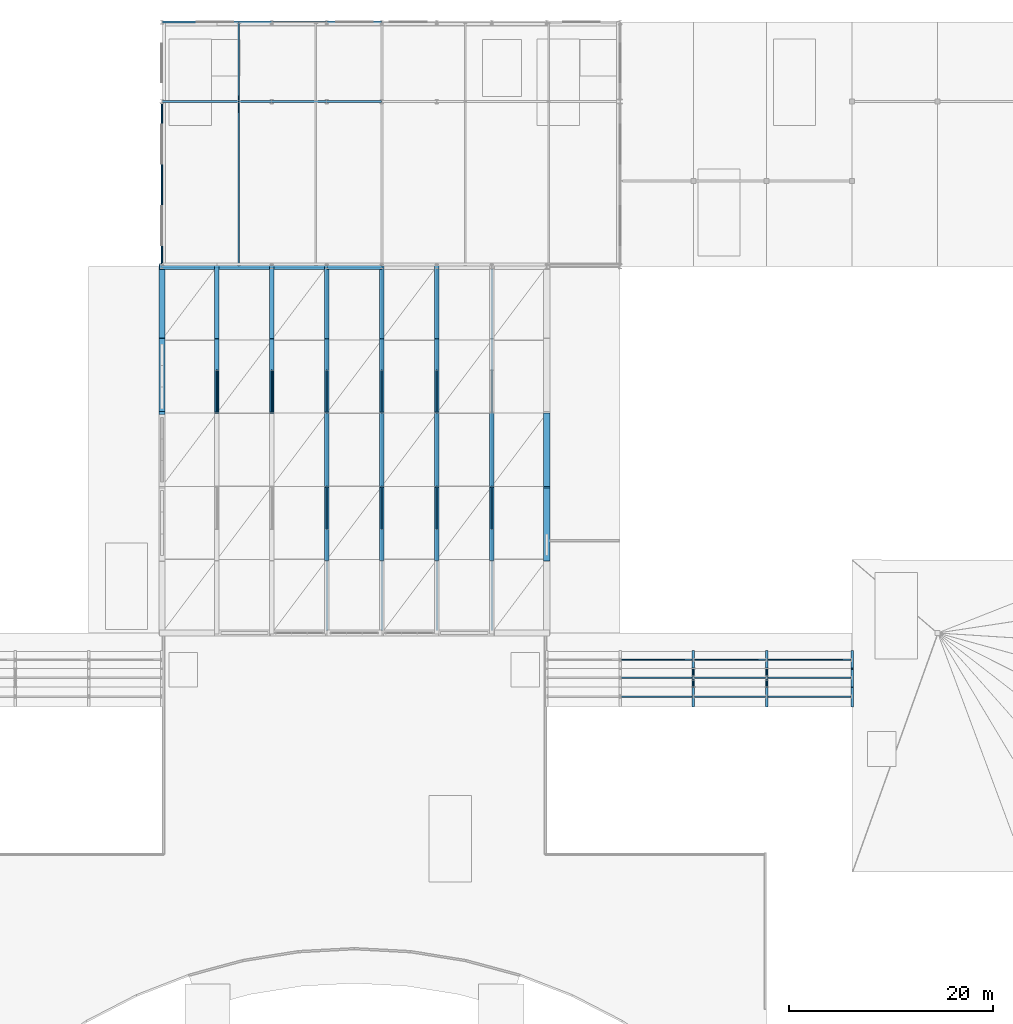
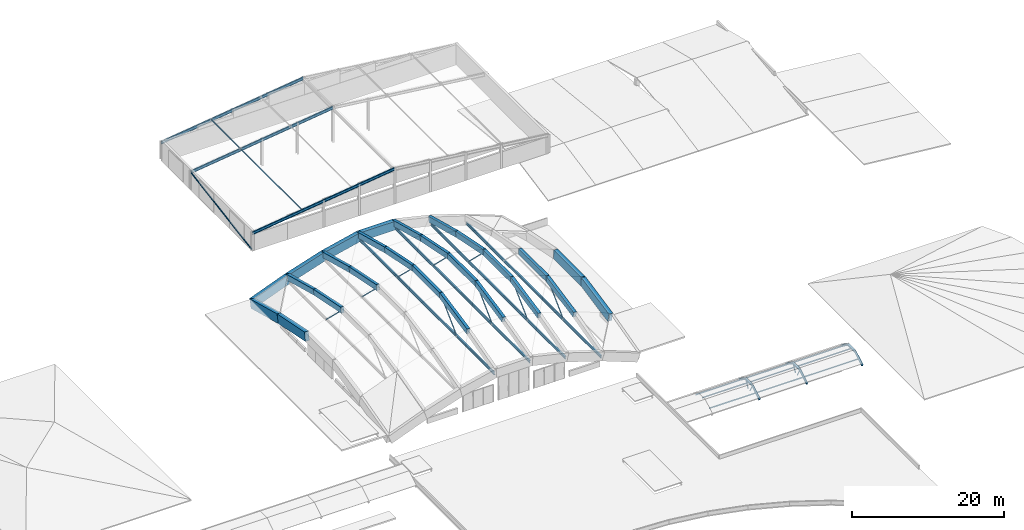
# One storey, part 7 of 27: 42 beams, 25 members.
"""IFC4 building model written with IfcOpenShell, lengths in metres."""

import ifcopenshell
import ifcopenshell.guid

model = None  # the IFC model being written
_history = None  # IfcOwnerHistory: only IFC2X3 demands one
_inside = {}  # id of a spatial element -> (the spatial element, [elements in it])
_under = {}  # id of a project, library or spatial element -> (it, [spatial elements below it])
_declared = {}  # id of a project -> (the project, [libraries it declares])
_typed = {}  # id of a type object -> (the type object, [elements of that type])
_made_of = {}  # id of a material, layer set ... -> (it, [elements and type objects made of it])


def new_model(schema):
    """Start an empty IFC model of exactly this schema.

    Asked for "IFC4X3", IfcOpenShell would pick the latest addendum, in which some entities
    have other attributes; the version numbers below select the first issue.
    IFC2X3 requires an IfcOwnerHistory on every rooted entity: one is made here for all.
    """
    global model, _history
    if schema == "IFC4X3":
        model = ifcopenshell.file(schema_version=(4, 3, 0, 0))
    else:
        model = ifcopenshell.file(schema=schema)
    _inside.clear()
    _under.clear()
    _declared.clear()
    _typed.clear()
    _made_of.clear()
    _history = None
    if model.schema == "IFC2X3":
        org = make("IfcOrganization", Name="unknown")
        user = make(
            "IfcPersonAndOrganization",
            ThePerson=make("IfcPerson", FamilyName="unknown"),
            TheOrganization=org,
        )
        app = make(
            "IfcApplication",
            ApplicationDeveloper=org,
            Version="unknown",
            ApplicationFullName="unknown",
            ApplicationIdentifier="unknown",
        )
        _history = make(
            "IfcOwnerHistory",
            OwningUser=user,
            OwningApplication=app,
            ChangeAction="ADDED",
            CreationDate=0,
        )
    return model


def make(cls, **values):
    """One entity of the class cls with the attributes given. An attribute that is None is left unset."""
    return model.create_entity(
        cls, **{name: value for name, value in values.items() if value is not None}
    )


def rooted(cls, **values):
    """An entity with a GlobalId (a new one), such as an element, a storey or a relation."""
    return make(cls, GlobalId=ifcopenshell.guid.new(), OwnerHistory=_history, **values)


def si_unit(unit_type, name, prefix=None):
    """IfcSIUnit, for example si_unit("LENGTHUNIT", "METRE", prefix="MILLI")."""
    return make("IfcSIUnit", UnitType=unit_type, Prefix=prefix, Name=name)


def assignment(units):
    """IfcUnitAssignment: the units of a project."""
    return None if units is None else make("IfcUnitAssignment", Units=units)


def point(xyz):
    """IfcCartesianPoint."""
    return None if xyz is None else make("IfcCartesianPoint", Coordinates=xyz)


def direction(xyz):
    """IfcDirection."""
    return None if xyz is None else make("IfcDirection", DirectionRatios=xyz)


def frame(location, z_axis=None, x_axis=None):
    """IfcAxis2Placement3D, a coordinate frame: its origin and axes. An axis left out is left unset."""
    return make(
        "IfcAxis2Placement3D",
        Location=point(location),
        Axis=direction(z_axis),
        RefDirection=direction(x_axis),
    )


def frame_2d(location, x_axis=None):
    """IfcAxis2Placement2D, a coordinate frame in the plane: its origin and x axis."""
    return make(
        "IfcAxis2Placement2D", Location=point(location), RefDirection=direction(x_axis)
    )


def origin():
    """The frame at (0, 0, 0) with its axes left unset."""
    return frame((0.0, 0.0, 0.0))


def origin_2d():
    """The frame at (0, 0) in the plane with its x axis left unset."""
    return frame_2d((0.0, 0.0))


def place(relative_to, where):
    """IfcLocalPlacement: puts the frame where relative to a parent placement (None: the world)."""
    return make(
        "IfcLocalPlacement", PlacementRelTo=relative_to, RelativePlacement=where
    )


def context(
    kind, dimensions, precision=None, world=None, true_north=None, identifier=None
):
    """IfcGeometricRepresentationContext, for example the 3D "Model" context."""
    return make(
        "IfcGeometricRepresentationContext",
        ContextIdentifier=identifier,
        ContextType=kind,
        CoordinateSpaceDimension=dimensions,
        Precision=precision,
        WorldCoordinateSystem=world,
        TrueNorth=true_north,
    )


def subcontext(parent, identifier, kind, view, scale=None):
    """IfcGeometricRepresentationSubContext, for example "Body" below "Model"."""
    return make(
        "IfcGeometricRepresentationSubContext",
        ContextIdentifier=identifier,
        ContextType=kind,
        ParentContext=parent,
        TargetScale=scale,
        TargetView=view,
    )


def project(units=None, contexts=None):
    """IfcProject with its units and contexts."""
    return rooted(
        "IfcProject",
        Name="project",
        RepresentationContexts=contexts,
        UnitsInContext=assignment(units),
    )


def spatial(cls, under=None, at=None, **own):
    """A site, building, storey or space (cls), placed at a placement, below another one or the project."""
    s = rooted(cls, ObjectPlacement=at, **own)
    if under is not None:
        _under.setdefault(under.id(), (under, []))[1].append(s)
    return s


def profile(cls, at=None, kind="AREA", **sizes):
    """A parametric profile (cls). Its sizes go by their IFC names, for example OverallWidth=200.0."""
    return make(cls, ProfileType=kind, Position=at, **sizes)


def rectangle(**sizes):
    """IfcRectangleProfileDef."""
    return profile("IfcRectangleProfileDef", **sizes)


def hollow_rectangle(**sizes):
    """IfcRectangleHollowProfileDef."""
    return profile("IfcRectangleHollowProfileDef", **sizes)


def hollow_circle(**sizes):
    """IfcCircleHollowProfileDef."""
    return profile("IfcCircleHollowProfileDef", **sizes)


def i_section(**sizes):
    """IfcIShapeProfileDef."""
    return profile("IfcIShapeProfileDef", **sizes)


def extrude(swept, where, along, depth):
    """IfcExtrudedAreaSolid: the profile swept, set in the frame where, extruded along a direction by depth."""
    return make(
        "IfcExtrudedAreaSolid",
        SweptArea=swept,
        Position=where,
        ExtrudedDirection=direction(along),
        Depth=depth,
    )


def shape(context_of_items, identifier, shape_type, items):
    """IfcShapeRepresentation: the items that make up one representation, for example the "Body"."""
    return make(
        "IfcShapeRepresentation",
        ContextOfItems=context_of_items,
        RepresentationIdentifier=identifier,
        RepresentationType=shape_type,
        Items=items,
    )


def material(Name=None, Category=None):
    """IfcMaterial."""
    return make("IfcMaterial", Name=Name, Category=Category)


def material_profile(
    of_material, cross_section, Name=None, Category=None, Priority=None
):
    """IfcMaterialProfile: a cross section and its material."""
    return make(
        "IfcMaterialProfile",
        Name=Name,
        Material=of_material,
        Profile=cross_section,
        Priority=Priority,
        Category=Category,
    )


def profile_set(profiles, Name=None, composite=None):
    """IfcMaterialProfileSet."""
    return make(
        "IfcMaterialProfileSet",
        Name=Name,
        MaterialProfiles=profiles,
        CompositeProfile=composite,
    )


def made_of(thing, what):
    """Note that an element or type object is made of a material, layer set ...; save() writes the relation."""
    if what is not None:
        _made_of.setdefault(what.id(), (what, []))[1].append(thing)
    return thing


def type_object(cls, material=None, **own):
    """A type object (cls), such as IfcWallType, which elements share."""
    return made_of(rooted(cls, **own), material)


def element(
    cls,
    number,
    at=None,
    inside=None,
    cuts=None,
    type_object=None,
    material=None,
    context=None,
    identifier="Body",
    shape_type=None,
    held_by="IfcProductDefinitionShape",
    body=None,
    shapes=None,
    **own,
):
    """One element of the class cls, such as IfcWall. Its Tag is "e" and its number.

    at: its placement. inside: the storey or other place that contains it. cuts: it is an
    opening in that element (IfcRelVoidsElement). A single representation is given by context,
    identifier, shape_type and body (its items); several are given by shapes. held_by: the class
    of the entity that holds the representations. save() writes the other relations.
    """
    e = rooted(cls, Tag="e%d" % number, ObjectPlacement=at, **own)
    if body is not None:
        shapes = [shape(context, identifier, shape_type, body)]
    if shapes is not None:
        e.Representation = make(held_by, Representations=shapes)
    if inside is not None:
        _inside.setdefault(inside.id(), (inside, []))[1].append(e)
    if cuts is not None:
        rooted(
            "IfcRelVoidsElement", RelatingBuildingElement=cuts, RelatedOpeningElement=e
        )
    if type_object is not None:
        _typed.setdefault(type_object.id(), (type_object, []))[1].append(e)
    return made_of(e, material)


def aggregate(whole, parts):
    """IfcRelAggregates: a whole, such as a stair, and the parts it consists of."""
    return rooted("IfcRelAggregates", RelatingObject=whole, RelatedObjects=parts)


def save(model, path):
    """Write the relations noted so far, then the file.

    IfcRelAggregates (storeys below a building ...), IfcRelContainedInSpatialStructure (elements
    in a storey), IfcRelDefinesByType, IfcRelAssociatesMaterial and IfcRelDeclares: one each for
    every whole, place, type object, material and project.
    """
    for whole, parts in _under.values():
        aggregate(whole, parts)
    for where, things in _inside.values():
        rooted(
            "IfcRelContainedInSpatialStructure",
            RelatedElements=things,
            RelatingStructure=where,
        )
    for kind, things in _typed.values():
        rooted("IfcRelDefinesByType", RelatedObjects=things, RelatingType=kind)
    for what, things in _made_of.values():
        rooted("IfcRelAssociatesMaterial", RelatedObjects=things, RelatingMaterial=what)
    for by, libraries in _declared.values():
        rooted("IfcRelDeclares", RelatingContext=by, RelatedDefinitions=libraries)
    model.write(path)


model = new_model("IFC4")

# Units and contexts
model_context = context("Model", 3, precision=1e-05, world=origin(), true_north=direction((0.0, 1.0)))
body_context = subcontext(model_context, "Body", "Model", "MODEL_VIEW")
ifc_project = project(units=[si_unit("LENGTHUNIT", "METRE"), si_unit("AREAUNIT", "SQUARE_METRE"), si_unit("VOLUMEUNIT", "CUBIC_METRE"), si_unit("PLANEANGLEUNIT", "RADIAN"), si_unit("MASSUNIT", "GRAM", prefix="KILO")], contexts=[model_context])

# Site, building, storey
site_placement = place(None, origin())
site = spatial("IfcSite", under=ifc_project, at=site_placement, CompositionType="ELEMENT")
building_placement = place(site_placement, origin())
building = spatial("IfcBuilding", under=site, at=building_placement, Name="Tazoul Stagehouse", CompositionType="ELEMENT")
storey_placement = place(building_placement, frame((0.0, 0.0, 24.89990234375)))
storey = spatial("IfcBuildingStorey", under=building, at=storey_placement, Name="RF", CompositionType="ELEMENT", Elevation=24.89990234375)

# Members
ifc_material_1 = material(Name="Steel S355", Category="steel")
ifc_material_profile_1 = material_profile(ifc_material_1, hollow_rectangle(XDim=0.10009765625, YDim=0.199951171875, WallThickness=0.008056640625, InnerFilletRadius=0.008056640625, OuterFilletRadius=0.011962890625, at=origin_2d()), Name="RHS 200x100x8")
ifc_profile_set_1 = profile_set([ifc_material_profile_1], Name="Steel S355")
member_type_1 = type_object("IfcMemberType", Name="Fly-Tower Roof Purlin RHS 200x100x8", PredefinedType="PURLIN", material=ifc_profile_set_1)
member_1_placement = place(storey_placement, frame((65.159912109375, 87.8798828125, 3.81005859375), z_axis=(0.0, 1.0, 0.0), x_axis=(-1.0, 0.0, 0.0)))
element("IfcMember", 1, at=member_1_placement, inside=storey, type_object=member_type_1, Name="RF Roof Purlin PR-03 (PURL-V2-W1-1)", PredefinedType="PURLIN", context=body_context, shape_type="SweptSolid", body=[
    extrude(hollow_rectangle(XDim=0.10009765625, YDim=0.199951171875, WallThickness=0.008056640625, InnerFilletRadius=0.008056640625, OuterFilletRadius=0.011962890625, at=origin_2d()), origin(), (0.0, 0.0, 1.0), 16.0400390625),
])
member_2_placement = place(storey_placement, frame((65.159912109375, 104.080078125, 3.81005859375), z_axis=(0.0, 1.0, 0.0), x_axis=(-1.0, 0.0, 0.0)))
element("IfcMember", 2, at=member_2_placement, inside=storey, type_object=member_type_1, Name="RF Roof Purlin PR-03 (PURL-V2-W2-1)", PredefinedType="PURLIN", context=body_context, shape_type="SweptSolid", body=[
    extrude(hollow_rectangle(XDim=0.10009765625, YDim=0.199951171875, WallThickness=0.008056640625, InnerFilletRadius=0.008056640625, OuterFilletRadius=0.011962890625, at=origin_2d()), origin(), (0.0, 0.0, 1.0), 7.639892578125),
])
ifc_material_profile_2 = material_profile(ifc_material_1, hollow_circle(Radius=0.109619140625, WallThickness=0.010009765625, at=origin_2d()), Name="CHS 219.1x10")
ifc_profile_set_2 = profile_set([ifc_material_profile_2], Name="Steel S355")
member_type_2 = type_object("IfcMemberType", Name="Fly-Tower Upper Brace CHS 219.1x10 (Exterior)", PredefinedType="BRACE", material=ifc_profile_set_2)
member_3_placement = place(storey_placement, frame((57.60009765625, 87.919921875, 0.050048828125), z_axis=(0.0, 0.986492445719, 0.163806759749), x_axis=(-1.0, 0.0, 0.0)))
element("IfcMember", 3, at=member_3_placement, inside=storey, type_object=member_type_2, Name="RF Concentric Brace BR-02E (BR-FT-RF-W1)", PredefinedType="BRACE", context=body_context, shape_type="SweptSolid", body=[
    extrude(hollow_circle(Radius=0.109619140625, WallThickness=0.010009765625, at=origin_2d()), origin(), (0.0, 0.0, 1.0), 16.178466796875),
])

# Beams
ifc_material_2 = material(Name="Concrete C40/50", Category="concrete")
ifc_material_profile_3 = material_profile(ifc_material_2, rectangle(XDim=0.449951171875, YDim=0.89990234375, at=origin_2d()), Name="RC 450x900")
ifc_profile_set_3 = profile_set([ifc_material_profile_3], Name="Concrete C40/50")
beam_type_1 = type_object("IfcBeamType", Name="RC Shell Arch Rib 450x900", PredefinedType="BEAM", material=ifc_profile_set_3)
beam_1_placement = place(storey_placement, frame((63.0, 73.39990234375, -2.767578125), z_axis=(0.0, 0.979913117397, -0.199424878971), x_axis=(-1.0, 0.0, 0.0)))
element("IfcBeam", 4, at=beam_1_placement, inside=storey, type_object=beam_type_1, Name="Shell Arch Rib AR-01 R2.4", PredefinedType="BEAM", context=body_context, shape_type="SweptSolid", body=[
    extrude(rectangle(XDim=0.449951171875, YDim=0.89990234375, at=origin_2d()), origin(), (0.0, 0.0, 1.0), 7.347900390625),
])
beam_2_placement = place(storey_placement, frame((63.0, 80.60009765625, -4.23291015625), z_axis=(0.0, 0.966171834407, -0.257899178748), x_axis=(-1.0, 0.0, 0.0)))
element("IfcBeam", 5, at=beam_2_placement, inside=storey, type_object=beam_type_1, Name="Shell Arch Rib AR-01 R2.5", PredefinedType="BEAM", context=body_context, shape_type="SweptSolid", body=[
    extrude(rectangle(XDim=0.449951171875, YDim=0.89990234375, at=origin_2d()), origin(), (0.0, 0.0, 1.0), 7.4521484375),
])
beam_3_placement = place(storey_placement, frame((68.39990234375, 73.39990234375, -1.032958984375), z_axis=(0.0, 0.979913117397, -0.199424878971), x_axis=(-1.0, 0.0, 0.0)))
element("IfcBeam", 6, at=beam_3_placement, inside=storey, type_object=beam_type_1, Name="Shell Arch Rib AR-01 R3.4", PredefinedType="BEAM", context=body_context, shape_type="SweptSolid", body=[
    extrude(rectangle(XDim=0.449951171875, YDim=0.89990234375, at=origin_2d()), origin(), (0.0, 0.0, 1.0), 7.347900390625),
])
beam_4_placement = place(storey_placement, frame((68.39990234375, 80.60009765625, -2.498291015625), z_axis=(0.0, 0.966171834407, -0.257899178748), x_axis=(-1.0, 0.0, 0.0)))
element("IfcBeam", 7, at=beam_4_placement, inside=storey, type_object=beam_type_1, Name="Shell Arch Rib AR-01 R3.5", PredefinedType="BEAM", context=body_context, shape_type="SweptSolid", body=[
    extrude(rectangle(XDim=0.449951171875, YDim=0.89990234375, at=origin_2d()), origin(), (0.0, 0.0, 1.0), 7.4521484375),
])
beam_5_placement = place(storey_placement, frame((73.800048828125, 59.0, -1.23876953125), z_axis=(0.0, 0.979911795909, 0.199431372251), x_axis=(-1.0, 0.0, 0.0)))
element("IfcBeam", 8, at=beam_5_placement, inside=storey, type_object=beam_type_1, Name="Shell Arch Rib AR-01 R4.2", PredefinedType="BEAM", context=body_context, shape_type="SweptSolid", body=[
    extrude(rectangle(XDim=0.449951171875, YDim=0.89990234375, at=origin_2d()), origin(), (0.0, 0.0, 1.0), 7.34765625),
])
beam_6_placement = place(storey_placement, frame((73.800048828125, 66.199951171875, 0.2265625), z_axis=(0.0, 1.0, 0.0), x_axis=(-1.0, 0.0, 0.0)))
element("IfcBeam", 9, at=beam_6_placement, inside=storey, type_object=beam_type_1, Name="Shell Arch Rib AR-01 R4.3", PredefinedType="BEAM", context=body_context, shape_type="SweptSolid", body=[
    extrude(rectangle(XDim=0.449951171875, YDim=0.89990234375, at=origin_2d()), origin(), (0.0, 0.0, 1.0), 7.199951171875),
])
beam_7_placement = place(storey_placement, frame((73.800048828125, 73.39990234375, 0.2265625), z_axis=(0.0, 0.979913117397, -0.199424878971), x_axis=(-1.0, 0.0, 0.0)))
element("IfcBeam", 10, at=beam_7_placement, inside=storey, type_object=beam_type_1, Name="Shell Arch Rib AR-01 R4.4", PredefinedType="BEAM", context=body_context, shape_type="SweptSolid", body=[
    extrude(rectangle(XDim=0.449951171875, YDim=0.89990234375, at=origin_2d()), origin(), (0.0, 0.0, 1.0), 7.347900390625),
])
beam_8_placement = place(storey_placement, frame((73.800048828125, 80.60009765625, -1.23876953125), z_axis=(0.0, 0.966163670627, -0.257929760905), x_axis=(-1.0, 0.0, 0.0)))
element("IfcBeam", 11, at=beam_8_placement, inside=storey, type_object=beam_type_1, Name="Shell Arch Rib AR-01 R4.5", PredefinedType="BEAM", context=body_context, shape_type="SweptSolid", body=[
    extrude(rectangle(XDim=0.449951171875, YDim=0.89990234375, at=origin_2d()), origin(), (0.0, 0.0, 1.0), 7.4521484375),
])
beam_9_placement = place(storey_placement, frame((79.199951171875, 59.0, -1.23876953125), z_axis=(0.0, 0.979911795909, 0.199431372251), x_axis=(-1.0, 0.0, 0.0)))
element("IfcBeam", 12, at=beam_9_placement, inside=storey, type_object=beam_type_1, Name="Shell Arch Rib AR-01 R5.2", PredefinedType="BEAM", context=body_context, shape_type="SweptSolid", body=[
    extrude(rectangle(XDim=0.449951171875, YDim=0.89990234375, at=origin_2d()), origin(), (0.0, 0.0, 1.0), 7.34765625),
])
beam_10_placement = place(storey_placement, frame((79.199951171875, 66.199951171875, 0.2265625), z_axis=(0.0, 1.0, 0.0), x_axis=(-1.0, 0.0, 0.0)))
element("IfcBeam", 13, at=beam_10_placement, inside=storey, type_object=beam_type_1, Name="Shell Arch Rib AR-01 R5.3", PredefinedType="BEAM", context=body_context, shape_type="SweptSolid", body=[
    extrude(rectangle(XDim=0.449951171875, YDim=0.89990234375, at=origin_2d()), origin(), (0.0, 0.0, 1.0), 7.199951171875),
])
beam_11_placement = place(storey_placement, frame((79.199951171875, 73.39990234375, 0.2265625), z_axis=(0.0, 0.979913117397, -0.199424878971), x_axis=(-1.0, 0.0, 0.0)))
element("IfcBeam", 14, at=beam_11_placement, inside=storey, type_object=beam_type_1, Name="Shell Arch Rib AR-01 R5.4", PredefinedType="BEAM", context=body_context, shape_type="SweptSolid", body=[
    extrude(rectangle(XDim=0.449951171875, YDim=0.89990234375, at=origin_2d()), origin(), (0.0, 0.0, 1.0), 7.347900390625),
])
beam_12_placement = place(storey_placement, frame((79.199951171875, 80.60009765625, -1.23876953125), z_axis=(0.0, 0.966163670627, -0.257929760905), x_axis=(-1.0, 0.0, 0.0)))
element("IfcBeam", 15, at=beam_12_placement, inside=storey, type_object=beam_type_1, Name="Shell Arch Rib AR-01 R5.5", PredefinedType="BEAM", context=body_context, shape_type="SweptSolid", body=[
    extrude(rectangle(XDim=0.449951171875, YDim=0.89990234375, at=origin_2d()), origin(), (0.0, 0.0, 1.0), 7.4521484375),
])
beam_13_placement = place(storey_placement, frame((84.60009765625, 59.0, -2.498291015625), z_axis=(0.0, 0.979911795909, 0.199431372251), x_axis=(-1.0, 0.0, 0.0)))
element("IfcBeam", 16, at=beam_13_placement, inside=storey, type_object=beam_type_1, Name="Shell Arch Rib AR-01 R6.2", PredefinedType="BEAM", context=body_context, shape_type="SweptSolid", body=[
    extrude(rectangle(XDim=0.449951171875, YDim=0.89990234375, at=origin_2d()), origin(), (0.0, 0.0, 1.0), 7.34765625),
])
beam_14_placement = place(storey_placement, frame((84.60009765625, 66.199951171875, -1.032958984375), z_axis=(0.0, 1.0, 0.0), x_axis=(-1.0, 0.0, 0.0)))
element("IfcBeam", 17, at=beam_14_placement, inside=storey, type_object=beam_type_1, Name="Shell Arch Rib AR-01 R6.3", PredefinedType="BEAM", context=body_context, shape_type="SweptSolid", body=[
    extrude(rectangle(XDim=0.449951171875, YDim=0.89990234375, at=origin_2d()), origin(), (0.0, 0.0, 1.0), 7.199951171875),
])
beam_15_placement = place(storey_placement, frame((84.60009765625, 73.39990234375, -1.032958984375), z_axis=(0.0, 0.979913117397, -0.199424878971), x_axis=(-1.0, 0.0, 0.0)))
element("IfcBeam", 18, at=beam_15_placement, inside=storey, type_object=beam_type_1, Name="Shell Arch Rib AR-01 R6.4", PredefinedType="BEAM", context=body_context, shape_type="SweptSolid", body=[
    extrude(rectangle(XDim=0.449951171875, YDim=0.89990234375, at=origin_2d()), origin(), (0.0, 0.0, 1.0), 7.347900390625),
])
beam_16_placement = place(storey_placement, frame((84.60009765625, 80.60009765625, -2.498291015625), z_axis=(0.0, 0.966171834407, -0.257899178748), x_axis=(-1.0, 0.0, 0.0)))
element("IfcBeam", 19, at=beam_16_placement, inside=storey, type_object=beam_type_1, Name="Shell Arch Rib AR-01 R6.5", PredefinedType="BEAM", context=body_context, shape_type="SweptSolid", body=[
    extrude(rectangle(XDim=0.449951171875, YDim=0.89990234375, at=origin_2d()), origin(), (0.0, 0.0, 1.0), 7.4521484375),
])
beam_17_placement = place(storey_placement, frame((90.0, 59.0, -4.23291015625), z_axis=(0.0, 0.979911795909, 0.199431372251), x_axis=(-1.0, 0.0, 0.0)))
element("IfcBeam", 20, at=beam_17_placement, inside=storey, type_object=beam_type_1, Name="Shell Arch Rib AR-01 R7.2", PredefinedType="BEAM", context=body_context, shape_type="SweptSolid", body=[
    extrude(rectangle(XDim=0.449951171875, YDim=0.89990234375, at=origin_2d()), origin(), (0.0, 0.0, 1.0), 7.34765625),
])
beam_18_placement = place(storey_placement, frame((90.0, 66.199951171875, -2.767578125), z_axis=(0.0, 1.0, 0.0), x_axis=(-1.0, 0.0, 0.0)))
element("IfcBeam", 21, at=beam_18_placement, inside=storey, type_object=beam_type_1, Name="Shell Arch Rib AR-01 R7.3", PredefinedType="BEAM", context=body_context, shape_type="SweptSolid", body=[
    extrude(rectangle(XDim=0.449951171875, YDim=0.89990234375, at=origin_2d()), origin(), (0.0, 0.0, 1.0), 7.199951171875),
])
ifc_material_profile_4 = material_profile(ifc_material_2, rectangle(XDim=0.60009765625, YDim=1.39990234375, at=origin_2d()), Name="RC 600x1400")
ifc_profile_set_4 = profile_set([ifc_material_profile_4], Name="Concrete C40/50")
beam_type_2 = type_object("IfcBeamType", Name="RC Shell Edge Ring Beam 600x1400 (Exterior)", PredefinedType="BEAM", material=ifc_profile_set_4)
beam_19_placement = place(storey_placement, frame((57.60009765625, 73.39990234375, -5.112548828125), z_axis=(0.0, 0.979913117397, -0.199424878971), x_axis=(-1.0, 0.0, 0.0)))
element("IfcBeam", 22, at=beam_19_placement, inside=storey, type_object=beam_type_2, Name="Shell Edge Beam EB-01E R1.4", PredefinedType="BEAM", context=body_context, shape_type="SweptSolid", body=[
    extrude(rectangle(XDim=0.60009765625, YDim=1.39990234375, at=origin_2d()), origin(), (0.0, 0.0, 1.0), 7.347900390625),
])
beam_20_placement = place(storey_placement, frame((57.60009765625, 80.60009765625, -6.577880859375), z_axis=(0.0, 0.966163670627, -0.257929760905), x_axis=(-1.0, 0.0, 0.0)))
element("IfcBeam", 23, at=beam_20_placement, inside=storey, type_object=beam_type_2, Name="Shell Edge Beam EB-01E R1.5", PredefinedType="BEAM", context=body_context, shape_type="SweptSolid", body=[
    extrude(rectangle(XDim=0.60009765625, YDim=1.39990234375, at=origin_2d()), origin(), (0.0, 0.0, 1.0), 7.4521484375),
])
beam_21_placement = place(storey_placement, frame((95.39990234375, 59.0, -6.577880859375), z_axis=(0.0, 0.979911795909, 0.199431372251), x_axis=(-1.0, 0.0, 0.0)))
element("IfcBeam", 24, at=beam_21_placement, inside=storey, type_object=beam_type_2, Name="Shell Edge Beam EB-01E R8.2", PredefinedType="BEAM", context=body_context, shape_type="SweptSolid", body=[
    extrude(rectangle(XDim=0.60009765625, YDim=1.39990234375, at=origin_2d()), origin(), (0.0, 0.0, 1.0), 7.34765625),
])
beam_22_placement = place(storey_placement, frame((95.39990234375, 66.199951171875, -5.112548828125), z_axis=(0.0, 1.0, 0.0), x_axis=(-1.0, 0.0, 0.0)))
element("IfcBeam", 25, at=beam_22_placement, inside=storey, type_object=beam_type_2, Name="Shell Edge Beam EB-01E R8.3", PredefinedType="BEAM", context=body_context, shape_type="SweptSolid", body=[
    extrude(rectangle(XDim=0.60009765625, YDim=1.39990234375, at=origin_2d()), origin(), (0.0, 0.0, 1.0), 7.199951171875),
])
beam_23_placement = place(storey_placement, frame((57.60009765625, 87.800048828125, -8.52001953125), z_axis=(0.932863213405, 0.0, 0.360230794181), x_axis=(0.0, 1.0, 0.0)))
element("IfcBeam", 26, at=beam_23_placement, inside=storey, type_object=beam_type_2, Name="Shell Perimeter Edge Beam EB-01E N1", PredefinedType="BEAM", context=body_context, shape_type="SweptSolid", body=[
    extrude(rectangle(XDim=0.60009765625, YDim=1.39990234375, at=origin_2d()), origin(), (0.0, 0.0, 1.0), 5.78857421875),
])
beam_24_placement = place(storey_placement, frame((63.0, 87.800048828125, -6.434814453125), z_axis=(0.952083186685, 0.0, 0.305839182629), x_axis=(0.0, 1.0, 0.0)))
element("IfcBeam", 27, at=beam_24_placement, inside=storey, type_object=beam_type_2, Name="Shell Perimeter Edge Beam EB-01E N2", PredefinedType="BEAM", context=body_context, shape_type="SweptSolid", body=[
    extrude(rectangle(XDim=0.60009765625, YDim=1.39990234375, at=origin_2d()), origin(), (0.0, 0.0, 1.0), 5.671630859375),
])
beam_25_placement = place(storey_placement, frame((68.39990234375, 87.800048828125, -4.7001953125), z_axis=(0.973871404196, 0.0, 0.227100171927), x_axis=(0.0, 1.0, 0.0)))
element("IfcBeam", 28, at=beam_25_placement, inside=storey, type_object=beam_type_2, Name="Shell Perimeter Edge Beam EB-01E N3", PredefinedType="BEAM", context=body_context, shape_type="SweptSolid", body=[
    extrude(rectangle(XDim=0.60009765625, YDim=1.39990234375, at=origin_2d()), origin(), (0.0, 0.0, 1.0), 5.544921875),
])
beam_26_placement = place(storey_placement, frame((73.800048828125, 87.800048828125, -3.44091796875), z_axis=(1.0, 0.0, 0.0), x_axis=(0.0, 1.0, 0.0)))
element("IfcBeam", 29, at=beam_26_placement, inside=storey, type_object=beam_type_2, Name="Shell Perimeter Edge Beam EB-01E N4", PredefinedType="BEAM", context=body_context, shape_type="SweptSolid", body=[
    extrude(rectangle(XDim=0.60009765625, YDim=1.39990234375, at=origin_2d()), origin(), (0.0, 0.0, 1.0), 5.39990234375),
])

# Members
ifc_material_profile_5 = material_profile(ifc_material_1, hollow_circle(Radius=0.084228515625, WallThickness=0.008056640625, at=origin_2d()), Name="CHS 168.3x8")
ifc_profile_set_5 = profile_set([ifc_material_profile_5], Name="Steel S355")
member_type_3 = type_object("IfcMemberType", Name="Roof Plan Wind Brace CHS 168.3x8", PredefinedType="BRACE", material=ifc_profile_set_5)
member_4_placement = place(storey_placement, frame((63.0, 77.60009765625, -6.8349609375), z_axis=(0.0, -0.718373240419, 0.695657881038), x_axis=(1.0, 0.0, 0.0)))
element("IfcMember", 30, at=member_4_placement, inside=storey, type_object=member_type_3, Name="RF Concentric Brace BR-03 (SHELL-STRUT-02N)", PredefinedType="BRACE", context=body_context, shape_type="SweptSolid", body=[
    extrude(hollow_circle(Radius=0.084228515625, WallThickness=0.008056640625, at=origin_2d()), origin(), (0.0, 0.0, 1.0), 5.846923828125),
])
for number, where, z_axis, x_axis, name in (
    (31, (68.39990234375, 77.60009765625, -5.10009765625), (0.0, -0.718394108017, 0.695636331402), (1.0, 0.0, 0.0), "RF Concentric Brace BR-03 (SHELL-STRUT-03N)"),
    (32, (73.800048828125, 62.0, -3.8408203125), (0.0, 0.718353032031, 0.695678748685), (-1.0, 0.0, 0.0), "RF Concentric Brace BR-03 (SHELL-STRUT-04S)"),
):
    element("IfcMember", number, at=place(storey_placement, frame(where, z_axis=z_axis, x_axis=x_axis)), inside=storey, type_object=member_type_3, Name=name, PredefinedType="BRACE", context=body_context, shape_type="SweptSolid", body=[
        extrude(hollow_circle(Radius=0.084228515625, WallThickness=0.008056640625, at=origin_2d()), origin(), (0.0, 0.0, 1.0), 5.8466796875),
    ])
member_5_placement = place(storey_placement, frame((73.800048828125, 77.60009765625, -3.8408203125), z_axis=(0.0, -0.718373240419, 0.695657881038), x_axis=(1.0, 0.0, 0.0)))
element("IfcMember", 33, at=member_5_placement, inside=storey, type_object=member_type_3, Name="RF Concentric Brace BR-03 (SHELL-STRUT-04N)", PredefinedType="BRACE", context=body_context, shape_type="SweptSolid", body=[
    extrude(hollow_circle(Radius=0.084228515625, WallThickness=0.008056640625, at=origin_2d()), origin(), (0.0, 0.0, 1.0), 5.846923828125),
])
member_6_placement = place(storey_placement, frame((79.199951171875, 62.0, -3.8408203125), z_axis=(0.0, 0.718353032031, 0.695678748685), x_axis=(-1.0, 0.0, 0.0)))
element("IfcMember", 34, at=member_6_placement, inside=storey, type_object=member_type_3, Name="RF Concentric Brace BR-03 (SHELL-STRUT-05S)", PredefinedType="BRACE", context=body_context, shape_type="SweptSolid", body=[
    extrude(hollow_circle(Radius=0.084228515625, WallThickness=0.008056640625, at=origin_2d()), origin(), (0.0, 0.0, 1.0), 5.8466796875),
])
member_7_placement = place(storey_placement, frame((79.199951171875, 77.60009765625, -3.8408203125), z_axis=(0.0, -0.718373240419, 0.695657881038), x_axis=(1.0, 0.0, 0.0)))
element("IfcMember", 35, at=member_7_placement, inside=storey, type_object=member_type_3, Name="RF Concentric Brace BR-03 (SHELL-STRUT-05N)", PredefinedType="BRACE", context=body_context, shape_type="SweptSolid", body=[
    extrude(hollow_circle(Radius=0.084228515625, WallThickness=0.008056640625, at=origin_2d()), origin(), (0.0, 0.0, 1.0), 5.846923828125),
])
member_8_placement = place(storey_placement, frame((84.60009765625, 62.0, -5.10009765625), z_axis=(0.0, 0.718373900293, 0.695657199616), x_axis=(-1.0, 0.0, 0.0)))
element("IfcMember", 36, at=member_8_placement, inside=storey, type_object=member_type_3, Name="RF Concentric Brace BR-03 (SHELL-STRUT-06S)", PredefinedType="BRACE", context=body_context, shape_type="SweptSolid", body=[
    extrude(hollow_circle(Radius=0.084228515625, WallThickness=0.008056640625, at=origin_2d()), origin(), (0.0, 0.0, 1.0), 5.846435546875),
])
for number, where, z_axis, x_axis, name in (
    (37, (84.60009765625, 77.60009765625, -5.10009765625), (0.0, -0.718394108017, 0.695636331402), (1.0, 0.0, 0.0), "RF Concentric Brace BR-03 (SHELL-STRUT-06N)"),
    (38, (90.0, 62.0, -6.8349609375), (0.0, 0.718353032031, 0.695678748685), (-1.0, 0.0, 0.0), "RF Concentric Brace BR-03 (SHELL-STRUT-07S)"),
):
    element("IfcMember", number, at=place(storey_placement, frame(where, z_axis=z_axis, x_axis=x_axis)), inside=storey, type_object=member_type_3, Name=name, PredefinedType="BRACE", context=body_context, shape_type="SweptSolid", body=[
        extrude(hollow_circle(Radius=0.084228515625, WallThickness=0.008056640625, at=origin_2d()), origin(), (0.0, 0.0, 1.0), 5.8466796875),
    ])
ifc_material_profile_6 = material_profile(ifc_material_1, hollow_circle(Radius=0.084228515625, WallThickness=0.008056640625, at=origin_2d()), Name="CHS 168.3x8")
ifc_profile_set_6 = profile_set([ifc_material_profile_6], Name="Steel S355")
member_type_4 = type_object("IfcMemberType", Name="Roof Plan Wind Brace CHS 168.3x8 (Exterior)", PredefinedType="BRACE", material=ifc_profile_set_6)
for number, where, z_axis, x_axis, name in (
    (39, (109.800048828125, 47.14990234375, -16.199951171875), (0.0, -0.482454371476, 0.875921103435), (1.0, 0.0, 0.0), "RF Concentric Brace BR-03E (BR-VP-WEB-109-1)"),
    (40, (109.800048828125, 47.64990234375, -16.199951171875), (0.0, 0.482593405538, 0.875844509563), (-1.0, 0.0, 0.0), "RF Concentric Brace BR-03E (BR-VP-WEB-109-2)"),
    (41, (117.0, 47.14990234375, -16.199951171875), (0.0, -0.482454371476, 0.875921103435), (1.0, 0.0, 0.0), "RF Concentric Brace BR-03E (BR-VP-WEB-117-1)"),
    (42, (117.0, 47.64990234375, -16.199951171875), (0.0, 0.482593405538, 0.875844509563), (-1.0, 0.0, 0.0), "RF Concentric Brace BR-03E (BR-VP-WEB-117-2)"),
):
    element("IfcMember", number, at=place(storey_placement, frame(where, z_axis=z_axis, x_axis=x_axis)), inside=storey, type_object=member_type_4, Name=name, PredefinedType="BRACE", context=body_context, shape_type="SweptSolid", body=[
        extrude(hollow_circle(Radius=0.084228515625, WallThickness=0.008056640625, at=origin_2d()), origin(), (0.0, 0.0, 1.0), 1.34716796875),
    ])

# Beams
ifc_material_profile_7 = material_profile(ifc_material_1, i_section(OverallWidth=0.18994140625, OverallDepth=0.449951171875, WebThickness=0.009521484375, FlangeThickness=0.0146484375, FilletRadius=0.02099609375, at=origin_2d()), Name="IPE 450")
ifc_profile_set_7 = profile_set([ifc_material_profile_7], Name="Steel S355")
beam_type_3 = type_object("IfcBeamType", Name="Steel Stage Girder IPE 450", PredefinedType="BEAM", material=ifc_profile_set_7)
for number, where, z_axis, x_axis, name in (
    (43, (73.800048828125, 52.050048828125, -3.8408203125), (0.0, 1.0, 0.0), (-1.0, 0.0, 0.0), "Shell Tied-Arch Tension Chord SB-03 R4"),
    (44, (79.199951171875, 52.050048828125, -3.8408203125), (0.0, 1.0, 0.0), (-1.0, 0.0, 0.0), "Shell Tied-Arch Tension Chord SB-03 R5"),
    (45, (84.60009765625, 52.050048828125, -5.10009765625), (0.0, 1.0, 0.0), (-1.0, 0.0, 0.0), "Shell Tied-Arch Tension Chord SB-03 R6"),
    (46, (90.0, 52.050048828125, -6.8349609375), (0.0, 1.0, 0.0), (-1.0, 0.0, 0.0), "Shell Tied-Arch Tension Chord SB-03 R7"),
):
    element("IfcBeam", number, at=place(storey_placement, frame(where, z_axis=z_axis, x_axis=x_axis)), inside=storey, type_object=beam_type_3, Name=name, PredefinedType="BEAM", context=body_context, shape_type="SweptSolid", body=[
        extrude(i_section(OverallWidth=0.18994140625, OverallDepth=0.449951171875, WebThickness=0.009521484375, FlangeThickness=0.0146484375, FilletRadius=0.02099609375, at=origin_2d()), origin(), (0.0, 0.0, 1.0), 35.5),
    ])
beam_27_placement = place(storey_placement, frame((57.60009765625, 104.0, 2.7001953125), z_axis=(0.9917035387, 0.0, 0.128546066956), x_axis=(0.0, 1.0, 0.0)))
element("IfcBeam", 47, at=beam_27_placement, inside=storey, type_object=beam_type_3, Name="Fly-Tower Roof Rafter SB-03 Y104-W", PredefinedType="BEAM", context=body_context, shape_type="SweptSolid", body=[
    extrude(i_section(OverallWidth=0.18994140625, OverallDepth=0.449951171875, WebThickness=0.009521484375, FlangeThickness=0.0146484375, FilletRadius=0.02099609375, at=origin_2d()), origin(), (0.0, 0.0, 1.0), 21.780517578125),
])
ifc_material_profile_8 = material_profile(ifc_material_1, i_section(OverallWidth=0.18994140625, OverallDepth=0.449951171875, WebThickness=0.009521484375, FlangeThickness=0.0146484375, FilletRadius=0.02099609375, at=origin_2d()), Name="IPE 450")
ifc_profile_set_8 = profile_set([ifc_material_profile_8], Name="Steel S355")
beam_type_4 = type_object("IfcBeamType", Name="Steel Stage Girder IPE 450 (Exterior)", PredefinedType="BEAM", material=ifc_profile_set_8)
for number, where, z_axis, x_axis, name in (
    (48, (57.60009765625, 87.800048828125, 2.7001953125), (0.9917035387, 0.0, 0.128546066956), (0.0, 1.0, 0.0), "Fly-Tower Roof Rafter SB-03E Y87-W"),
    (49, (57.60009765625, 111.800048828125, 2.7001953125), (0.9917035387, 0.0, 0.128546066956), (0.0, 1.0, 0.0), "Fly-Tower Roof Rafter SB-03E Y111-W"),
):
    element("IfcBeam", number, at=place(storey_placement, frame(where, z_axis=z_axis, x_axis=x_axis)), inside=storey, type_object=beam_type_4, Name=name, PredefinedType="BEAM", context=body_context, shape_type="SweptSolid", body=[
        extrude(i_section(OverallWidth=0.18994140625, OverallDepth=0.449951171875, WebThickness=0.009521484375, FlangeThickness=0.0146484375, FilletRadius=0.02099609375, at=origin_2d()), origin(), (0.0, 0.0, 1.0), 21.780517578125),
    ])
ifc_material_profile_9 = material_profile(ifc_material_1, i_section(OverallWidth=0.239990234375, OverallDepth=0.239990234375, WebThickness=0.010009765625, FlangeThickness=0.01708984375, FilletRadius=0.02099609375, at=origin_2d()), Name="HEB 240")
ifc_profile_set_9 = profile_set([ifc_material_profile_9], Name="Steel S355")
beam_type_5 = type_object("IfcBeamType", Name="Steel Vault Arch Rib HEB 240", PredefinedType="BEAM", material=ifc_profile_set_9)
beam_28_placement = place(storey_placement, frame((109.800048828125, 44.60009765625, -16.119873046875), z_axis=(0.0, 0.857502648253, 0.514479550847), x_axis=(-1.0, 0.0, 0.0)))
element("IfcBeam", 50, at=beam_28_placement, inside=storey, type_object=beam_type_5, Name="Vault Arch Rib SB-10 E109.1", PredefinedType="BEAM", context=body_context, shape_type="SweptSolid", body=[
    extrude(i_section(OverallWidth=0.239990234375, OverallDepth=0.239990234375, WebThickness=0.010009765625, FlangeThickness=0.01708984375, FilletRadius=0.02099609375, at=origin_2d()), origin(), (0.0, 0.0, 1.0), 2.215576171875),
])
beam_29_placement = place(storey_placement, frame((109.800048828125, 46.5, -14.97998046875), z_axis=(0.0, 1.0, 0.0), x_axis=(-1.0, 0.0, 0.0)))
element("IfcBeam", 51, at=beam_29_placement, inside=storey, type_object=beam_type_5, Name="Vault Arch Rib SB-10 E109.2", PredefinedType="BEAM", context=body_context, shape_type="SweptSolid", body=[
    extrude(i_section(OverallWidth=0.239990234375, OverallDepth=0.239990234375, WebThickness=0.010009765625, FlangeThickness=0.01708984375, FilletRadius=0.02099609375, at=origin_2d()), origin(), (0.0, 0.0, 1.0), 1.800048828125),
])
beam_30_placement = place(storey_placement, frame((109.800048828125, 48.300048828125, -14.97998046875), z_axis=(0.0, 0.830560869138, -0.556927861268), x_axis=(-1.0, 0.0, 0.0)))
element("IfcBeam", 52, at=beam_30_placement, inside=storey, type_object=beam_type_5, Name="Vault Arch Rib SB-10 E109.3", PredefinedType="BEAM", context=body_context, shape_type="SweptSolid", body=[
    extrude(i_section(OverallWidth=0.239990234375, OverallDepth=0.239990234375, WebThickness=0.010009765625, FlangeThickness=0.01708984375, FilletRadius=0.02099609375, at=origin_2d()), origin(), (0.0, 0.0, 1.0), 2.046630859375),
])
beam_31_placement = place(storey_placement, frame((117.0, 44.60009765625, -16.119873046875), z_axis=(0.0, 0.857502648253, 0.514479550847), x_axis=(-1.0, 0.0, 0.0)))
element("IfcBeam", 53, at=beam_31_placement, inside=storey, type_object=beam_type_5, Name="Vault Arch Rib SB-10 E117.1", PredefinedType="BEAM", context=body_context, shape_type="SweptSolid", body=[
    extrude(i_section(OverallWidth=0.239990234375, OverallDepth=0.239990234375, WebThickness=0.010009765625, FlangeThickness=0.01708984375, FilletRadius=0.02099609375, at=origin_2d()), origin(), (0.0, 0.0, 1.0), 2.215576171875),
])
beam_32_placement = place(storey_placement, frame((117.0, 46.5, -14.97998046875), z_axis=(0.0, 1.0, 0.0), x_axis=(-1.0, 0.0, 0.0)))
element("IfcBeam", 54, at=beam_32_placement, inside=storey, type_object=beam_type_5, Name="Vault Arch Rib SB-10 E117.2", PredefinedType="BEAM", context=body_context, shape_type="SweptSolid", body=[
    extrude(i_section(OverallWidth=0.239990234375, OverallDepth=0.239990234375, WebThickness=0.010009765625, FlangeThickness=0.01708984375, FilletRadius=0.02099609375, at=origin_2d()), origin(), (0.0, 0.0, 1.0), 1.800048828125),
])
beam_33_placement = place(storey_placement, frame((117.0, 48.300048828125, -14.97998046875), z_axis=(0.0, 0.830560869138, -0.556927861268), x_axis=(-1.0, 0.0, 0.0)))
element("IfcBeam", 55, at=beam_33_placement, inside=storey, type_object=beam_type_5, Name="Vault Arch Rib SB-10 E117.3", PredefinedType="BEAM", context=body_context, shape_type="SweptSolid", body=[
    extrude(i_section(OverallWidth=0.239990234375, OverallDepth=0.239990234375, WebThickness=0.010009765625, FlangeThickness=0.01708984375, FilletRadius=0.02099609375, at=origin_2d()), origin(), (0.0, 0.0, 1.0), 2.046630859375),
])
beam_34_placement = place(storey_placement, frame((125.39990234375, 44.60009765625, -16.119873046875), z_axis=(0.0, 0.857502648253, 0.514479550847), x_axis=(-1.0, 0.0, 0.0)))
element("IfcBeam", 56, at=beam_34_placement, inside=storey, type_object=beam_type_5, Name="Vault Arch Rib SB-10 E125.1", PredefinedType="BEAM", context=body_context, shape_type="SweptSolid", body=[
    extrude(i_section(OverallWidth=0.239990234375, OverallDepth=0.239990234375, WebThickness=0.010009765625, FlangeThickness=0.01708984375, FilletRadius=0.02099609375, at=origin_2d()), origin(), (0.0, 0.0, 1.0), 2.215576171875),
])
beam_35_placement = place(storey_placement, frame((125.39990234375, 46.5, -14.97998046875), z_axis=(0.0, 1.0, 0.0), x_axis=(-1.0, 0.0, 0.0)))
element("IfcBeam", 57, at=beam_35_placement, inside=storey, type_object=beam_type_5, Name="Vault Arch Rib SB-10 E125.2", PredefinedType="BEAM", context=body_context, shape_type="SweptSolid", body=[
    extrude(i_section(OverallWidth=0.239990234375, OverallDepth=0.239990234375, WebThickness=0.010009765625, FlangeThickness=0.01708984375, FilletRadius=0.02099609375, at=origin_2d()), origin(), (0.0, 0.0, 1.0), 1.800048828125),
])
beam_36_placement = place(storey_placement, frame((125.39990234375, 48.300048828125, -14.97998046875), z_axis=(0.0, 0.830560869138, -0.556927861268), x_axis=(-1.0, 0.0, 0.0)))
element("IfcBeam", 58, at=beam_36_placement, inside=storey, type_object=beam_type_5, Name="Vault Arch Rib SB-10 E125.3", PredefinedType="BEAM", context=body_context, shape_type="SweptSolid", body=[
    extrude(i_section(OverallWidth=0.239990234375, OverallDepth=0.239990234375, WebThickness=0.010009765625, FlangeThickness=0.01708984375, FilletRadius=0.02099609375, at=origin_2d()), origin(), (0.0, 0.0, 1.0), 2.046630859375),
])

# Members
ifc_material_profile_10 = material_profile(ifc_material_1, hollow_rectangle(XDim=0.10009765625, YDim=0.179931640625, WallThickness=0.008056640625, InnerFilletRadius=0.008056640625, OuterFilletRadius=0.011962890625, at=origin_2d()), Name="RHS 180x100x8")
ifc_profile_set_10 = profile_set([ifc_material_profile_10], Name="Steel S355")
member_type_5 = type_object("IfcMemberType", Name="Vault Canopy Purlin RHS 180x100x8 (Exterior)", PredefinedType="PURLIN", material=ifc_profile_set_10)
for number, where, z_axis, x_axis, name in (
    (59, (102.659912109375, 45.550048828125, -15.58984375), (1.0, 0.0, 0.0), (0.0, 1.0, 0.0), "RF Roof Purlin PR-02E (PURL-VP-E2-1)"),
    (60, (102.659912109375, 47.39990234375, -15.02001953125), (1.0, 0.0, 0.0), (0.0, 1.0, 0.0), "RF Roof Purlin PR-02E (PURL-VP-E2-2)"),
    (61, (102.659912109375, 49.14990234375, -15.58984375), (1.0, 0.0, 0.0), (0.0, 1.0, 0.0), "RF Roof Purlin PR-02E (PURL-VP-E2-3)"),
):
    element("IfcMember", number, at=place(storey_placement, frame(where, z_axis=z_axis, x_axis=x_axis)), inside=storey, type_object=member_type_5, Name=name, PredefinedType="PURLIN", context=body_context, shape_type="SweptSolid", body=[
        extrude(hollow_rectangle(XDim=0.10009765625, YDim=0.179931640625, WallThickness=0.008056640625, InnerFilletRadius=0.008056640625, OuterFilletRadius=0.011962890625, at=origin_2d()), origin(), (0.0, 0.0, 1.0), 7.080078125),
    ])
for number, where, z_axis, x_axis, name in (
    (62, (109.860107421875, 45.550048828125, -15.58984375), (1.0, 0.0, 0.0), (0.0, 1.0, 0.0), "RF Roof Purlin PR-02E (PURL-VP-E3-1)"),
    (63, (109.860107421875, 47.39990234375, -15.02001953125), (1.0, 0.0, 0.0), (0.0, 1.0, 0.0), "RF Roof Purlin PR-02E (PURL-VP-E3-2)"),
    (64, (109.860107421875, 49.14990234375, -15.58984375), (1.0, 0.0, 0.0), (0.0, 1.0, 0.0), "RF Roof Purlin PR-02E (PURL-VP-E3-3)"),
):
    element("IfcMember", number, at=place(storey_placement, frame(where, z_axis=z_axis, x_axis=x_axis)), inside=storey, type_object=member_type_5, Name=name, PredefinedType="PURLIN", context=body_context, shape_type="SweptSolid", body=[
        extrude(hollow_rectangle(XDim=0.10009765625, YDim=0.179931640625, WallThickness=0.008056640625, InnerFilletRadius=0.008056640625, OuterFilletRadius=0.011962890625, at=origin_2d()), origin(), (0.0, 0.0, 1.0), 7.079833984375),
    ])
for number, where, z_axis, x_axis, name in (
    (65, (117.06005859375, 45.550048828125, -15.58984375), (1.0, 0.0, 0.0), (0.0, 1.0, 0.0), "RF Roof Purlin PR-02E (PURL-VP-E4-1)"),
    (66, (117.06005859375, 47.39990234375, -15.02001953125), (1.0, 0.0, 0.0), (0.0, 1.0, 0.0), "RF Roof Purlin PR-02E (PURL-VP-E4-2)"),
    (67, (117.06005859375, 49.14990234375, -15.58984375), (1.0, 0.0, 0.0), (0.0, 1.0, 0.0), "RF Roof Purlin PR-02E (PURL-VP-E4-3)"),
):
    element("IfcMember", number, at=place(storey_placement, frame(where, z_axis=z_axis, x_axis=x_axis)), inside=storey, type_object=member_type_5, Name=name, PredefinedType="PURLIN", context=body_context, shape_type="SweptSolid", body=[
        extrude(hollow_rectangle(XDim=0.10009765625, YDim=0.179931640625, WallThickness=0.008056640625, InnerFilletRadius=0.008056640625, OuterFilletRadius=0.011962890625, at=origin_2d()), origin(), (0.0, 0.0, 1.0), 8.280029296875),
    ])

save(model, "model.ifc")
